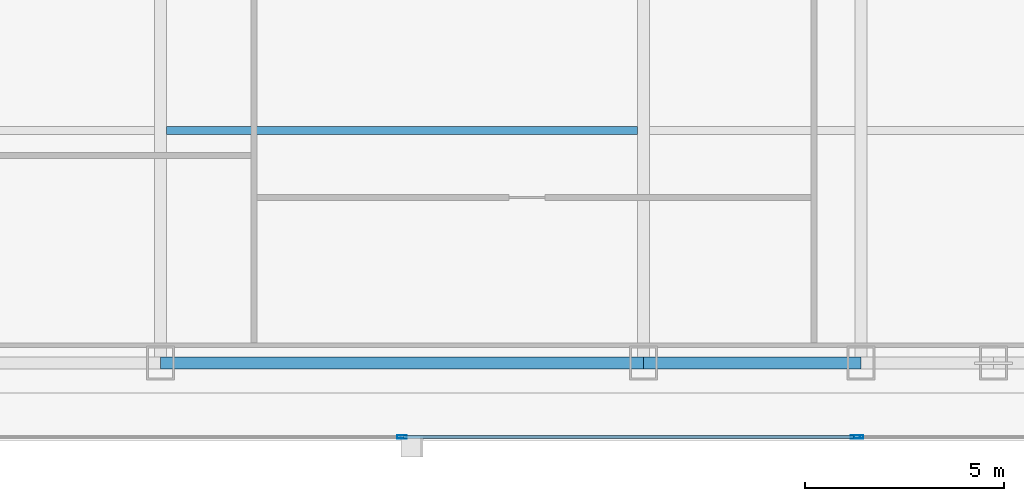
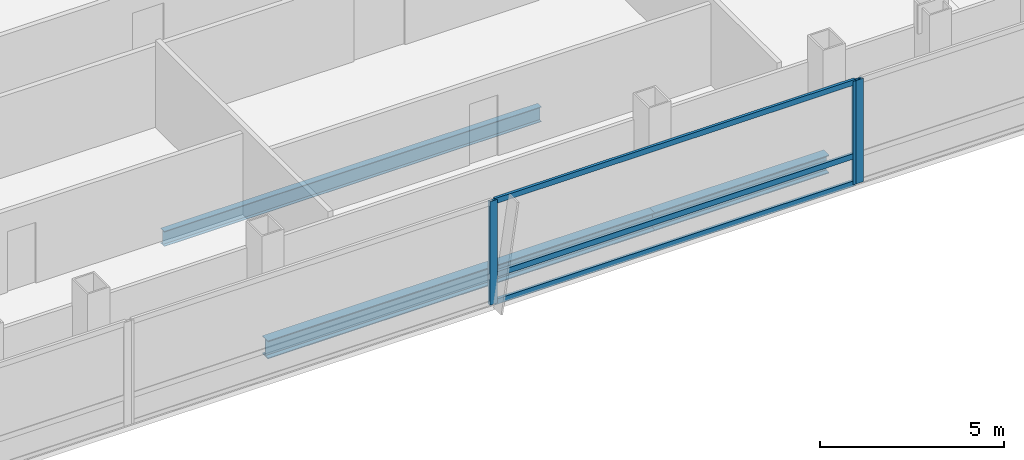
# One storey, part 13 of 29: 6 members, 3 beams, 2 elements without a shape of their own.
"""IFC4 building model written with IfcOpenShell, lengths in metres."""

from ifc_helpers import new_model, si_unit, direction, frame, origin, origin_2d, place, context, subcontext, project, spatial, hollow_rectangle, i_section, extrude, material, material_profile, profile_set, type_object, element, aggregate, save


model = new_model("IFC4")

# Units and contexts
model_context = context("Model", 3, precision=1e-05, world=origin(), true_north=direction((0.0, 1.0)))
body_context = subcontext(model_context, "Body", "Model", "MODEL_VIEW")
ifc_project = project(units=[si_unit("LENGTHUNIT", "METRE"), si_unit("AREAUNIT", "SQUARE_METRE"), si_unit("VOLUMEUNIT", "CUBIC_METRE"), si_unit("PLANEANGLEUNIT", "RADIAN"), si_unit("MASSUNIT", "GRAM", prefix="KILO")], contexts=[model_context])

# Site, building, storey
site_placement = place(None, origin())
site = spatial("IfcSite", under=ifc_project, at=site_placement, CompositionType="ELEMENT")
building_placement = place(site_placement, origin())
building = spatial("IfcBuilding", under=site, at=building_placement, Name="Khoronbel Lancet Exchange", CompositionType="ELEMENT")
storey_placement = place(building_placement, frame((0.0, 0.0, 154.199951171875)))
storey = spatial("IfcBuildingStorey", under=building, at=storey_placement, Name="L38", CompositionType="ELEMENT", Elevation=154.199951171875)

# Beams
ifc_material_1 = material(Name="Steel S355", Category="steel")
ifc_material_profile_1 = material_profile(ifc_material_1, i_section(OverallWidth=0.199951171875, OverallDepth=0.5, WebThickness=0.01025390625, FlangeThickness=0.01611328125, at=origin_2d()), Name="IPE 500")
ifc_profile_set_1 = profile_set([ifc_material_profile_1], Name="Steel S355")
beam_type_1 = type_object("IfcBeamType", Name="BM-BJ3", PredefinedType="JOIST", material=ifc_profile_set_1)
beam_1_placement = place(storey_placement, frame((30.52490234375, 16.0, -0.409912109375), z_axis=(1.0, 0.0, 0.0), x_axis=(0.0, 1.0, 0.0)))
element("IfcBeam", 1, at=beam_1_placement, inside=storey, type_object=beam_type_1, Name="Level L38 secondary composite joist J03", PredefinedType="JOIST", context=body_context, shape_type="SweptSolid", body=[
    extrude(i_section(OverallWidth=0.199951171875, OverallDepth=0.5, WebThickness=0.01025390625, FlangeThickness=0.01611328125, at=origin_2d()), origin(), (0.0, 0.0, 1.0), 11.85009765625),
])
ifc_material_profile_2 = material_profile(ifc_material_1, i_section(OverallWidth=0.300048828125, OverallDepth=0.60009765625, WebThickness=0.015380859375, FlangeThickness=0.030029296875, at=origin_2d()), Name="HEB 600")
ifc_profile_set_2 = profile_set([ifc_material_profile_2], Name="Steel S355")
beam_type_2 = type_object("IfcBeamType", Name="BM-BSP2", PredefinedType="SPANDREL", material=ifc_profile_set_2)
beam_2_placement = place(storey_placement, frame((30.375, 10.14990234375, -0.4599609375), z_axis=(1.0, 0.0, 0.0), x_axis=(0.0, 1.0, 0.0)))
element("IfcBeam", 2, at=beam_2_placement, inside=storey, type_object=beam_type_2, Name="Level L38 perimeter spandrel beam SP05", PredefinedType="SPANDREL", context=body_context, shape_type="SweptSolid", body=[
    extrude(i_section(OverallWidth=0.300048828125, OverallDepth=0.60009765625, WebThickness=0.015380859375, FlangeThickness=0.030029296875, at=origin_2d()), origin(), (0.0, 0.0, 1.0), 12.14990234375),
])
beam_3_placement = place(storey_placement, frame((42.52490234375, 10.14990234375, -0.4599609375), z_axis=(1.0, 0.0, 0.0), x_axis=(0.0, 1.0, 0.0)))
element("IfcBeam", 3, at=beam_3_placement, inside=storey, type_object=beam_type_2, Name="Level L38 perimeter spandrel beam SP06", PredefinedType="SPANDREL", context=body_context, shape_type="SweptSolid", body=[
    extrude(i_section(OverallWidth=0.300048828125, OverallDepth=0.60009765625, WebThickness=0.015380859375, FlangeThickness=0.030029296875, at=origin_2d()), origin(), (0.0, 0.0, 1.0), 5.47509765625),
])

# Curtain wall, members
ifc_material_2 = material(Name="Low-E Solar Control Insulating Glass", Category="glass")
curtain_wall_type = type_object("IfcCurtainWallType", Name="CW-3", PredefinedType="NOTDEFINED", material=ifc_material_2)
curtain_wall_1_placement = place(storey_placement, origin())
curtain_wall_1 = element("IfcCurtainWall", 4, at=curtain_wall_1_placement, inside=storey, type_object=curtain_wall_type, Name="Unitised curtain wall CW-L38-SCV", PredefinedType="NOTDEFINED")
ifc_material_3 = material(Name="Bronze-Anodised Aluminium 6063-T6", Category="aluminium")
ifc_material_profile_3 = material_profile(ifc_material_3, hollow_rectangle(XDim=0.0849609375, YDim=0.239990234375, WallThickness=0.006103515625, at=origin_2d()), Name="ALU MULLION 85x240")
ifc_profile_set_3 = profile_set([ifc_material_profile_3], Name="Bronze-Anodised Aluminium 6063-T6")
member_type_1 = type_object("IfcMemberType", Name="MEM-CWM1", PredefinedType="MULLION", material=ifc_profile_set_3)
member_1_placement = place(storey_placement, frame((36.449951171875, 8.2900390625, 0.0), z_axis=(0.0, 0.0, 1.0), x_axis=(0.0, 1.0, 0.0)))
member_1 = element("IfcMember", 5, at=member_1_placement, type_object=member_type_1, Name="CW3 mullion 2", PredefinedType="MULLION", context=body_context, shape_type="SweptSolid", body=[
    extrude(hollow_rectangle(XDim=0.0849609375, YDim=0.239990234375, WallThickness=0.006103515625, at=origin_2d()), origin(), (0.0, 0.0, 1.0), 3.43994140625),
])
member_2_placement = place(storey_placement, frame((47.857421875, 8.2900390625, 0.0), z_axis=(0.0, 0.0, 1.0), x_axis=(0.0, 1.0, 0.0)))
member_2 = element("IfcMember", 6, at=member_2_placement, type_object=member_type_1, Name="CW3 mullion 3", PredefinedType="MULLION", context=body_context, shape_type="SweptSolid", body=[
    extrude(hollow_rectangle(XDim=0.0849609375, YDim=0.239990234375, WallThickness=0.006103515625, at=origin_2d()), origin(), (0.0, 0.0, 1.0), 3.43994140625),
])

# Curtain wall, member
curtain_wall_2_placement = place(storey_placement, origin())
curtain_wall_2 = element("IfcCurtainWall", 7, at=curtain_wall_2_placement, inside=storey, type_object=curtain_wall_type, Name="Unitised curtain wall CW-L38-SEB", PredefinedType="NOTDEFINED")
member_3_placement = place(storey_placement, frame((47.9423828125, 8.2900390625, 0.0), z_axis=(0.0, 0.0, 1.0), x_axis=(0.0, 1.0, 0.0)))
member_3 = element("IfcMember", 8, at=member_3_placement, type_object=member_type_1, Name="CW3 mullion 1", PredefinedType="MULLION", context=body_context, shape_type="SweptSolid", body=[
    extrude(hollow_rectangle(XDim=0.0849609375, YDim=0.239990234375, WallThickness=0.006103515625, at=origin_2d()), origin(), (0.0, 0.0, 1.0), 3.43994140625),
])
aggregate(curtain_wall_2, [member_3])

# Member
ifc_material_profile_4 = material_profile(ifc_material_3, hollow_rectangle(XDim=0.0849609375, YDim=0.179931640625, WallThickness=0.0048828125, at=origin_2d()), Name="ALU TRANSOM 85x180")
ifc_profile_set_4 = profile_set([ifc_material_profile_4], Name="Bronze-Anodised Aluminium 6063-T6")
member_type_2 = type_object("IfcMemberType", Name="MEM-CWT1", PredefinedType="USERDEFINED", material=ifc_profile_set_4)
member_4_placement = place(storey_placement, frame((36.492431640625, 8.2900390625, 0.04248046875), z_axis=(1.0, 0.0, 0.0), x_axis=(0.0, 1.0, 0.0)))
member_4 = element("IfcMember", 9, at=member_4_placement, type_object=member_type_2, Name="CW3 transom 2.1", ObjectType="TRANSOM", PredefinedType="USERDEFINED", context=body_context, shape_type="SweptSolid", body=[
    extrude(hollow_rectangle(XDim=0.0849609375, YDim=0.179931640625, WallThickness=0.0048828125, at=origin_2d()), origin(), (0.0, 0.0, 1.0), 11.322509765625),
])

member_5_placement = place(storey_placement, frame((36.492431640625, 8.2900390625, 0.949951171875), z_axis=(1.0, 0.0, 0.0), x_axis=(0.0, 1.0, 0.0)))
member_5 = element("IfcMember", 10, at=member_5_placement, type_object=member_type_2, Name="CW3 transom 2.2", ObjectType="TRANSOM", PredefinedType="USERDEFINED", context=body_context, shape_type="SweptSolid", body=[
    extrude(hollow_rectangle(XDim=0.0849609375, YDim=0.179931640625, WallThickness=0.0048828125, at=origin_2d()), origin(), (0.0, 0.0, 1.0), 11.322509765625),
])

member_6_placement = place(storey_placement, frame((36.492431640625, 8.2900390625, 3.3974609375), z_axis=(1.0, 0.0, 0.0), x_axis=(0.0, 1.0, 0.0)))
member_6 = element("IfcMember", 11, at=member_6_placement, type_object=member_type_2, Name="CW3 transom 2.3", ObjectType="TRANSOM", PredefinedType="USERDEFINED", context=body_context, shape_type="SweptSolid", body=[
    extrude(hollow_rectangle(XDim=0.0849609375, YDim=0.179931640625, WallThickness=0.0048828125, at=origin_2d()), origin(), (0.0, 0.0, 1.0), 11.322509765625),
])

aggregate(curtain_wall_1, [member_1, member_2, member_4, member_5, member_6])

save(model, "model.ifc")
